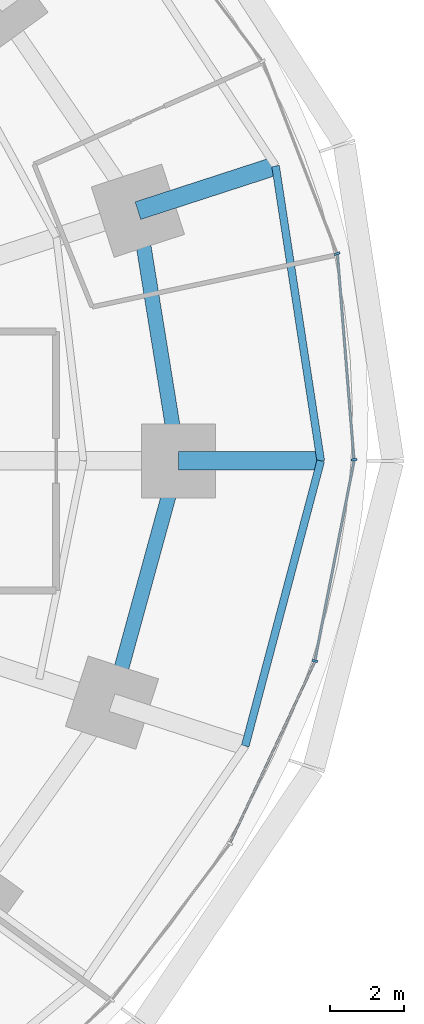
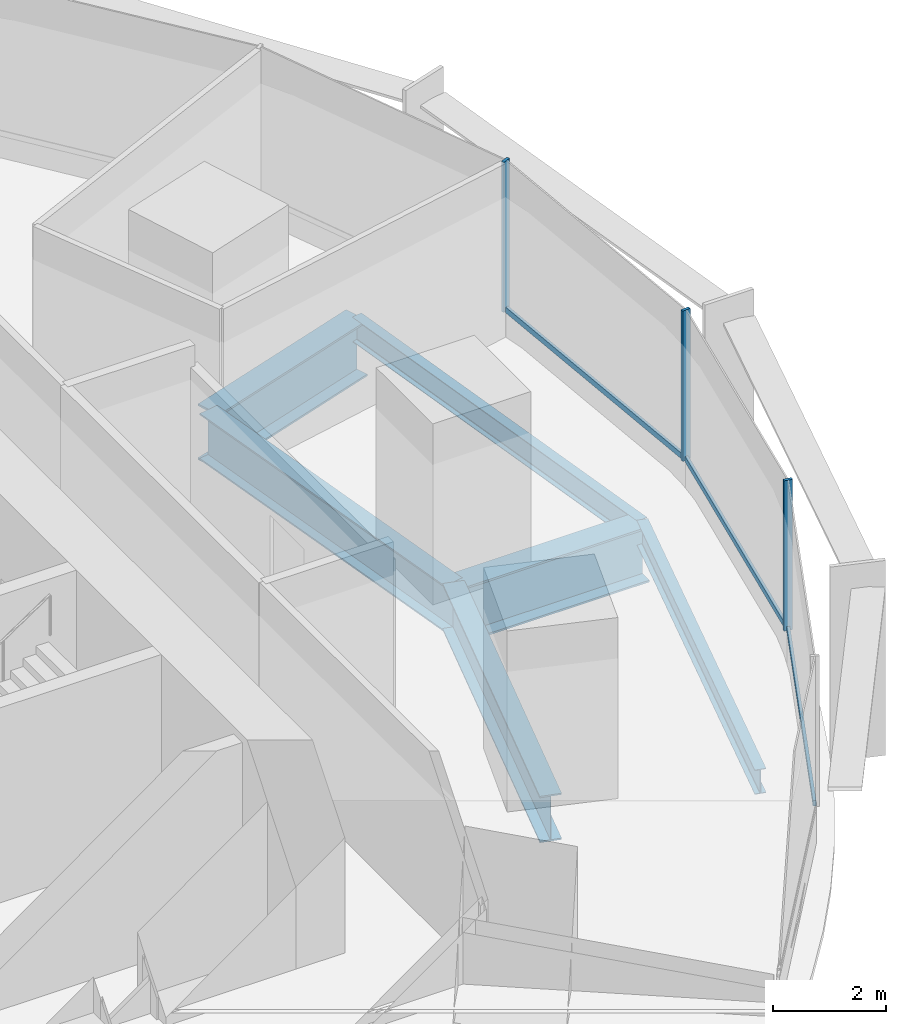
# One storey, part 6 of 15: 6 beams, 6 members, 2 elements without a shape of their own.
"""IFC4 building model written with IfcOpenShell, lengths in metres."""

from ifc_helpers import new_model, si_unit, direction, frame, origin, origin_2d, place, context, subcontext, project, spatial, rectangle, i_section, extrude, material, material_profile, profile_set, type_object, element, aggregate, save


model = new_model("IFC4")

# Units and contexts
model_context = context("Model", 3, precision=1e-05, world=origin(), true_north=direction((0.0, 1.0)))
body_context = subcontext(model_context, "Body", "Model", "MODEL_VIEW")
ifc_project = project(units=[si_unit("LENGTHUNIT", "METRE"), si_unit("AREAUNIT", "SQUARE_METRE"), si_unit("VOLUMEUNIT", "CUBIC_METRE"), si_unit("PLANEANGLEUNIT", "RADIAN"), si_unit("MASSUNIT", "GRAM", prefix="KILO")], contexts=[model_context])

# Site, building, storey
site_placement = place(None, origin())
site = spatial("IfcSite", under=ifc_project, at=site_placement, CompositionType="ELEMENT")
building_placement = place(site_placement, origin())
building = spatial("IfcBuilding", under=site, at=building_placement, Name="Marramba Exchange Tower", CompositionType="ELEMENT")
storey_placement = place(building_placement, frame((0.0, 0.0, 74.199951171875)))
storey = spatial("IfcBuildingStorey", under=building, at=storey_placement, Name="L17", CompositionType="ELEMENT", Elevation=74.199951171875)

# Beams
ifc_material_1 = material(Name="Steel AS/NZS 3679.2 grade 300", Category="steel")
ifc_material_profile_1 = material_profile(ifc_material_1, i_section(OverallWidth=0.5, OverallDepth=1.199951171875, WebThickness=0.01611328125, FlangeThickness=0.0400390625, at=origin_2d()), Name="1200WB455")
ifc_profile_set_1 = profile_set([ifc_material_profile_1], Name="Steel AS/NZS 3679.2 grade 300")
beam_type_1 = type_object("IfcBeamType", Name="Cantilever girder 1200WB455", PredefinedType="BEAM", material=ifc_profile_set_1)
beam_1_placement = place(storey_placement, frame((21.89990234375, 0.0, -0.760009765625), z_axis=(1.0, 0.0, 0.0), x_axis=(0.0, 1.0, 0.0)))
element("IfcBeam", 1, at=beam_1_placement, inside=storey, type_object=beam_type_1, Name="Cantilever girder L17 TC01", PredefinedType="BEAM", context=body_context, shape_type="SweptSolid", body=[
    extrude(i_section(OverallWidth=0.5, OverallDepth=1.199951171875, WebThickness=0.01611328125, FlangeThickness=0.0400390625, at=origin_2d()), origin(), (0.0, 0.0, 1.0), 3.85009765625),
])
beam_2_placement = place(storey_placement, frame((20.808349609375, 6.760986328125, -0.760009765625), z_axis=(0.951058833549, 0.309009862508, 0.0), x_axis=(-0.309009862508, 0.951058833549, 0.0)))
element("IfcBeam", 2, at=beam_2_placement, inside=storey, type_object=beam_type_1, Name="Cantilever girder L17 TC02", PredefinedType="BEAM", context=body_context, shape_type="SweptSolid", body=[
    extrude(i_section(OverallWidth=0.5, OverallDepth=1.199951171875, WebThickness=0.01611328125, FlangeThickness=0.0400390625, at=origin_2d()), origin(), (0.0, 0.0, 1.0), 3.91162109375),
])
ifc_material_profile_2 = material_profile(ifc_material_1, i_section(OverallWidth=0.39990234375, OverallDepth=1.0, WebThickness=0.01611328125, FlangeThickness=0.031982421875, at=origin_2d()), Name="1000WB322")
ifc_profile_set_2 = profile_set([ifc_material_profile_2], Name="Steel AS/NZS 3679.2 grade 300")
beam_type_2 = type_object("IfcBeamType", Name="Ring beam 1000WB322", PredefinedType="SPANDREL", material=ifc_profile_set_2)
beam_3_placement = place(storey_placement, frame((21.89990234375, 0.0, -0.659912109375), z_axis=(-0.159384865399, 0.987216523708, 0.0), x_axis=(-0.987216523708, -0.159384865399, 0.0)))
element("IfcBeam", 3, at=beam_3_placement, inside=storey, type_object=beam_type_2, Name="Ring beam L17 TC01-TC02", PredefinedType="SPANDREL", context=body_context, shape_type="SweptSolid", body=[
    extrude(i_section(OverallWidth=0.39990234375, OverallDepth=1.0, WebThickness=0.01611328125, FlangeThickness=0.031982421875, at=origin_2d()), origin(), (0.0, 0.0, 1.0), 6.8486328125),
])
beam_4_placement = place(storey_placement, frame((20.109375, -6.533935546875, -0.659912109375), z_axis=(0.264291166956, 0.964442937176, 0.0), x_axis=(-0.964442937176, 0.264291166956, 0.0)))
element("IfcBeam", 4, at=beam_4_placement, inside=storey, type_object=beam_type_2, Name="Ring beam L17 TC20-TC01", PredefinedType="SPANDREL", context=body_context, shape_type="SweptSolid", body=[
    extrude(i_section(OverallWidth=0.39990234375, OverallDepth=1.0, WebThickness=0.01611328125, FlangeThickness=0.031982421875, at=origin_2d()), origin(), (0.0, 0.0, 1.0), 6.77490234375),
])
ifc_material_2 = material(Name="Steel AS/NZS 3679.1 grade 300", Category="steel")
ifc_material_profile_3 = material_profile(ifc_material_2, i_section(OverallWidth=0.208984375, OverallDepth=0.528076171875, WebThickness=0.009521484375, FlangeThickness=0.01318359375, FilletRadius=0.013916015625, at=origin_2d()), Name="530UB82.0")
ifc_profile_set_3 = profile_set([ifc_material_profile_3], Name="Steel AS/NZS 3679.1 grade 300")
beam_type_3 = type_object("IfcBeamType", Name="Slab edge beam 530UB82.0", PredefinedType="SPANDREL", material=ifc_profile_set_3)
beam_5_placement = place(storey_placement, frame((25.75, 0.0, -0.424072265625), z_axis=(-0.151490591645, 0.988458699513, 0.0), x_axis=(-0.988458699513, -0.151490591645, 0.0)))
element("IfcBeam", 5, at=beam_5_placement, inside=storey, type_object=beam_type_3, Name="Slab edge beam L17 TC01-TC02", PredefinedType="SPANDREL", context=body_context, shape_type="SweptSolid", body=[
    extrude(i_section(OverallWidth=0.208984375, OverallDepth=0.528076171875, WebThickness=0.009521484375, FlangeThickness=0.01318359375, FilletRadius=0.013916015625, at=origin_2d()), origin(), (0.0, 0.0, 1.0), 8.062744140625),
])
beam_6_placement = place(storey_placement, frame((23.709716796875, -7.703857421875, -0.424072265625), z_axis=(0.25601296674, 0.966673347549, 0.0), x_axis=(-0.966673347549, 0.25601296674, 0.0)))
element("IfcBeam", 6, at=beam_6_placement, inside=storey, type_object=beam_type_3, Name="Slab edge beam L17 TC20-TC01", PredefinedType="SPANDREL", context=body_context, shape_type="SweptSolid", body=[
    extrude(i_section(OverallWidth=0.208984375, OverallDepth=0.528076171875, WebThickness=0.009521484375, FlangeThickness=0.01318359375, FilletRadius=0.013916015625, at=origin_2d()), origin(), (0.0, 0.0, 1.0), 7.969482421875),
])

# Curtain wall, members
ifc_material_3 = material(Name="Aluminium framing, bronze anodised", Category="aluminium")
curtain_wall_type = type_object("IfcCurtainWallType", Name="Trading floor ribbon curtain wall", PredefinedType="USERDEFINED", material=ifc_material_3)
curtain_wall_1_placement = place(storey_placement, origin())
curtain_wall_1 = element("IfcCurtainWall", 7, at=curtain_wall_1_placement, inside=storey, type_object=curtain_wall_type, Name="Curtain wall CW3 L17 F01-F05", ObjectType="RIBBON CURTAIN WALL", PredefinedType="USERDEFINED")
ifc_material_4 = material(Name="Aluminium mullion, bronze anodised", Category="aluminium")
ifc_material_profile_4 = material_profile(ifc_material_4, rectangle(XDim=0.159912109375, YDim=0.06005859375, at=origin_2d()), Name="CW3 mullion 60x160")
ifc_profile_set_4 = profile_set([ifc_material_profile_4], Name="Aluminium mullion, bronze anodised")
member_type_1 = type_object("IfcMemberType", Name="Trading floor ribbon curtain wall mullion", PredefinedType="MULLION", material=ifc_profile_set_4)
member_1_placement = place(storey_placement, frame((26.647705078125, 0.02978515625, 0.800048828125), z_axis=(0.0, 0.0, 1.0), x_axis=(-0.996772736434, -0.080275225953, 0.0)))
member_1 = element("IfcMember", 8, at=member_1_placement, type_object=member_type_1, Name="CW3 mullion 1", PredefinedType="MULLION", context=body_context, shape_type="SweptSolid", body=[
    extrude(rectangle(XDim=0.159912109375, YDim=0.06005859375, at=origin_2d()), origin(), (0.0, 0.0, 1.0), 3.239990234375),
])
member_2_placement = place(storey_placement, frame((26.190673828125, 5.597412109375, 0.800048828125), z_axis=(0.0, 0.0, 1.0), x_axis=(-0.933135256626, -0.359525510698, 0.0)))
member_2 = element("IfcMember", 9, at=member_2_placement, type_object=member_type_1, Name="CW3 mullion 1", PredefinedType="MULLION", context=body_context, shape_type="SweptSolid", body=[
    extrude(rectangle(XDim=0.159912109375, YDim=0.06005859375, at=origin_2d()), origin(), (0.0, 0.0, 1.0), 3.239990234375),
])

# Curtain wall, member
curtain_wall_2_placement = place(storey_placement, origin())
curtain_wall_2 = element("IfcCurtainWall", 10, at=curtain_wall_2_placement, inside=storey, type_object=curtain_wall_type, Name="Curtain wall CW3 L17 F26-F30", ObjectType="RIBBON CURTAIN WALL", PredefinedType="USERDEFINED")
member_3_placement = place(storey_placement, frame((25.59033203125, -5.40869140625, 0.800048828125), z_axis=(0.0, 0.0, 1.0), x_axis=(-0.981346261612, 0.1922485756, 0.0)))
member_3 = element("IfcMember", 11, at=member_3_placement, type_object=member_type_1, Name="CW3 mullion 1", PredefinedType="MULLION", context=body_context, shape_type="SweptSolid", body=[
    extrude(rectangle(XDim=0.159912109375, YDim=0.06005859375, at=origin_2d()), origin(), (0.0, 0.0, 1.0), 3.239990234375),
])

# Member
ifc_material_5 = material(Name="Aluminium transom, bronze anodised", Category="aluminium")
ifc_material_profile_5 = material_profile(ifc_material_5, rectangle(XDim=0.06005859375, YDim=0.1201171875, at=origin_2d()), Name="CW3 transom 60x120")
ifc_profile_set_5 = profile_set([ifc_material_profile_5], Name="Aluminium transom, bronze anodised")
member_type_2 = type_object("IfcMemberType", Name="Trading floor ribbon curtain wall transom", PredefinedType="USERDEFINED", material=ifc_profile_set_5)
member_4_placement = place(storey_placement, frame((26.645263671875, 0.059814453125, 0.830078125), z_axis=(-0.080299960686, 0.99677074411, 0.0), x_axis=(-0.99677074411, -0.080299960686, 0.0)))
member_4 = element("IfcMember", 12, at=member_4_placement, type_object=member_type_2, Name="CW3 sill transom", ObjectType="TRANSOM", PredefinedType="USERDEFINED", context=body_context, shape_type="SweptSolid", body=[
    extrude(rectangle(XDim=0.06005859375, YDim=0.1201171875, at=origin_2d()), origin(), (0.0, 0.0, 1.0), 5.52734375),
])

aggregate(curtain_wall_1, [member_1, member_4, member_2])

member_5_placement = place(storey_placement, frame((23.306640625, -10.31103515625, 0.830078125), z_axis=(0.423511514213, 0.905890720412, 0.0), x_axis=(-0.905890720412, 0.423511514213, 0.0)))
member_5 = element("IfcMember", 13, at=member_5_placement, type_object=member_type_2, Name="CW3 sill transom", ObjectType="TRANSOM", PredefinedType="USERDEFINED", context=body_context, shape_type="SweptSolid", body=[
    extrude(rectangle(XDim=0.06005859375, YDim=0.1201171875, at=origin_2d()), origin(), (0.0, 0.0, 1.0), 5.37890625),
])

member_6_placement = place(storey_placement, frame((25.59619140625, -5.37939453125, 0.830078125), z_axis=(0.192226081646, 0.981350667975, 0.0), x_axis=(-0.981350667975, 0.192226081646, 0.0)))
member_6 = element("IfcMember", 14, at=member_6_placement, type_object=member_type_2, Name="CW3 sill transom", ObjectType="TRANSOM", PredefinedType="USERDEFINED", context=body_context, shape_type="SweptSolid", body=[
    extrude(rectangle(XDim=0.06005859375, YDim=0.1201171875, at=origin_2d()), origin(), (0.0, 0.0, 1.0), 5.481689453125),
])

aggregate(curtain_wall_2, [member_5, member_3, member_6])

save(model, "model.ifc")
